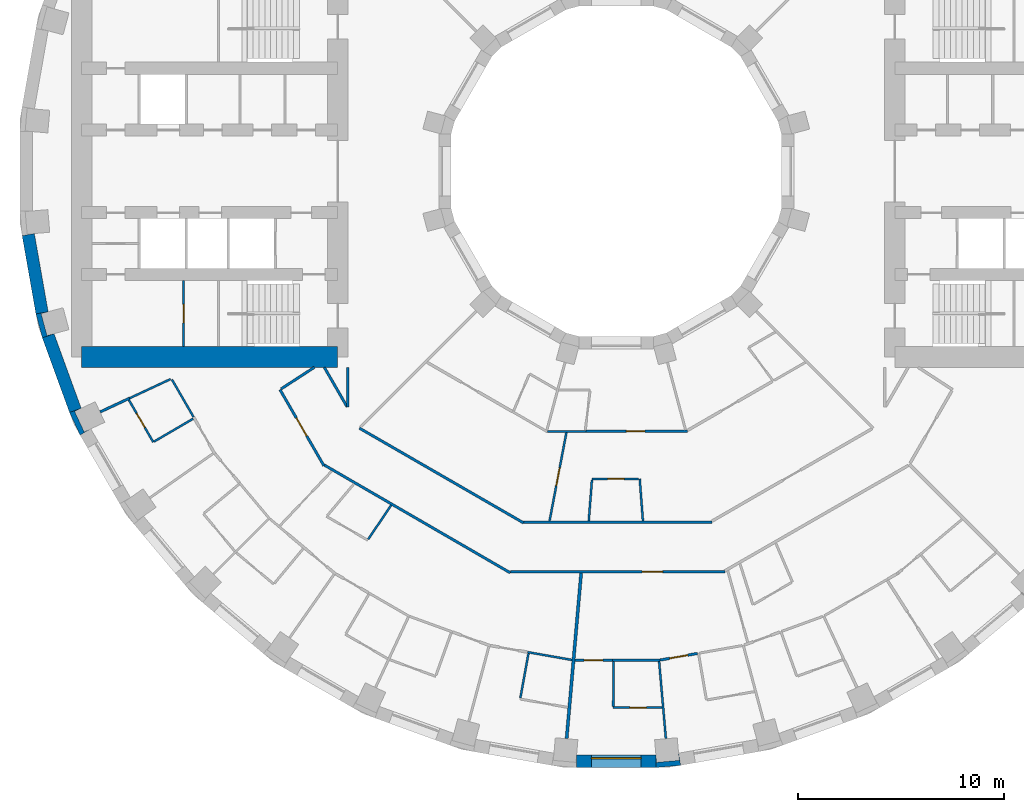
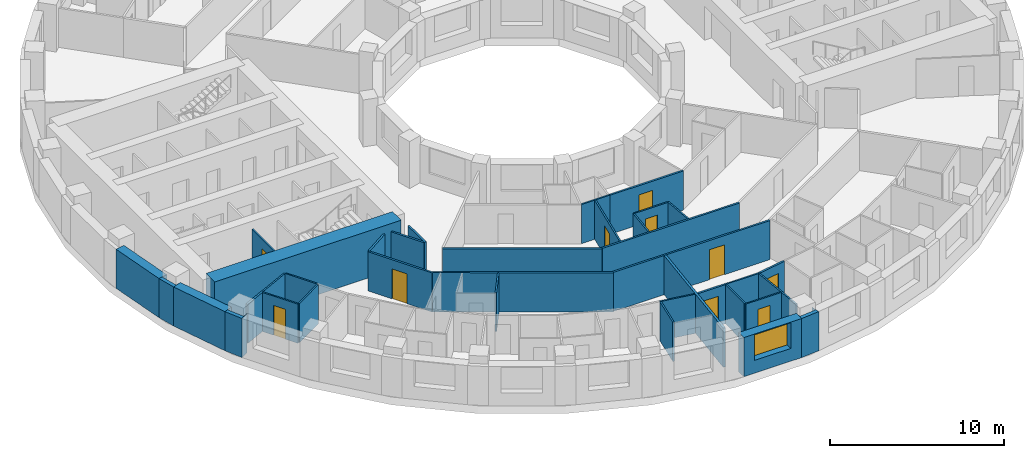
# One storey, part 5 of 15: 37 walls, 10 doors, 1 window, 11 openings.
"""IFC4 building model written with IfcOpenShell, lengths in metres."""

from ifc_helpers import new_model, si_unit, direction, frame, frame_2d, origin, place, context, subcontext, project, spatial, polyline, rectangle, outline, extrude, material, layer, layer_set, type_object, element, fill, save


model = new_model("IFC4")

# Units and contexts
model_context = context("Model", 3, precision=1e-05, world=origin(), true_north=direction((0.0, 1.0)))
body_context = subcontext(model_context, "Body", "Model", "MODEL_VIEW")
ifc_project = project(units=[si_unit("LENGTHUNIT", "METRE"), si_unit("AREAUNIT", "SQUARE_METRE"), si_unit("VOLUMEUNIT", "CUBIC_METRE"), si_unit("PLANEANGLEUNIT", "RADIAN"), si_unit("MASSUNIT", "GRAM", prefix="KILO")], contexts=[model_context])

# Site, building, storey
site_placement = place(None, origin())
site = spatial("IfcSite", under=ifc_project, at=site_placement, CompositionType="ELEMENT")
building_placement = place(site_placement, origin())
building = spatial("IfcBuilding", under=site, at=building_placement, Name="Saqina Gate Tower", CompositionType="ELEMENT")
storey_placement = place(building_placement, frame((0.0, 0.0, 75.800048828125)))
storey = spatial("IfcBuildingStorey", under=building, at=storey_placement, Name="L21", CompositionType="ELEMENT", Elevation=75.800048828125)

# Walls
ifc_material_1 = material(Name="Brick masonry (red)", Category="masonry")
wall_type_1 = type_object("IfcWallType", Name="BRICK PIER COPING RED", PredefinedType="SOLIDWALL", material=ifc_material_1)
wall_1_placement = place(storey_placement, origin())
element("IfcWall", 1, at=wall_1_placement, inside=storey, type_object=wall_type_1, Name="Pier cap L21 column 20", PredefinedType="SOLIDWALL", context=body_context, shape_type="SweptSolid", body=[
    extrude(outline(polyline([(-28.11669921875, -6.910400390625), (-27.80517578125, -8.073974609375), (-27.2412109375, -7.86865234375), (-27.57958984375, -7.95947265625), (-27.864501953125, -6.896728515625), (-27.52587890625, -6.80615234375), (-28.11669921875, -6.910400390625)])), origin(), (0.0, 0.0, 1.0), 2.75),
])
wall_2_placement = place(storey_placement, origin())
element("IfcWall", 2, at=wall_2_placement, inside=storey, type_object=wall_type_1, Name="Pier cap L21 column 21", PredefinedType="SOLIDWALL", context=body_context, shape_type="SweptSolid", body=[
    extrude(outline(polyline([(-25.980712890625, -12.779541015625), (-25.4609375, -12.4794921875), (-25.778564453125, -12.627685546875), (-26.243408203125, -11.630615234375), (-25.92578125, -11.482666015625), (-26.48974609375, -11.687744140625), (-25.980712890625, -12.779541015625)])), origin(), (0.0, 0.0, 1.0), 2.75),
])
wall_3_placement = place(storey_placement, origin())
element("IfcWall", 3, at=wall_3_placement, inside=storey, type_object=wall_type_1, Name="Pier cap L21 column 28", PredefinedType="SOLIDWALL", context=body_context, shape_type="SweptSolid", body=[
    extrude(outline(polyline([(1.9228515625, -28.8896484375), (3.122802734375, -28.78466796875), (3.018798828125, -28.19384765625), (3.04931640625, -28.54296875), (1.95361328125, -28.638671875), (1.9228515625, -28.28955078125), (1.9228515625, -28.8896484375)])), origin(), (0.0, 0.0, 1.0), 2.75),
])

# Wall, opening, door
ifc_material_2 = material(Name="Gypsum board on steel studs", Category="steel")
ifc_layer_1 = layer(ifc_material_2, 0.10009765625)
ifc_layer_set_1 = layer_set([ifc_layer_1], Name="CORE PARTITION")
wall_type_2 = type_object("IfcWallType", Name="CORE PARTITION", PredefinedType="PARTITIONING", material=ifc_layer_set_1)
wall_4_placement = place(storey_placement, frame((-20.961669921875, -8.5, 0.0), z_axis=(0.0, 0.0, 1.0), x_axis=(0.0, 1.0, 0.0)))
wall_4 = element("IfcWall", 4, at=wall_4_placement, inside=storey, type_object=wall_type_2, Name="L21-CP-W12", PredefinedType="PARTITIONING", context=body_context, shape_type="SweptSolid", body=[
    extrude(rectangle(XDim=3.199951171875, YDim=0.10009765625, at=frame_2d((1.60009765625, 0.0))), origin(), (0.0, 0.0, 1.0), 2.75),
])
opening_1_placement = place(wall_4_placement, frame((1.14990234375, 0.0, 0.0)))
opening_1 = element("IfcOpeningElement", 5, at=opening_1_placement, cuts=wall_4, Name="Opening G06-D112", PredefinedType="OPENING", context=body_context, shape_type="SweptSolid", body=[
    extrude(rectangle(XDim=0.89990234375, YDim=2.10009765625, at=frame_2d((0.449951171875, 1.050048828125))), frame((0.0, 0.06201171875, 0.0), z_axis=(0.0, -1.0, 0.0), x_axis=(1.0, 0.0, 0.0)), (0.0, 0.0, 1.0), 0.1240234375),
])
ifc_material_3 = material(Name="Steel-framed fire door leaf, EI 60", Category="steel")
door_type_1 = type_object("IfcDoorType", Name="SERVICE ROOM DOOR 900", OperationType="SINGLE_SWING_LEFT", PredefinedType="DOOR", material=ifc_material_3)
door_1_placement = place(opening_1_placement, origin())
door_1 = element("IfcDoor", 6, at=door_1_placement, inside=storey, type_object=door_type_1, Name="L21-CD-W23", OperationType="SINGLE_SWING_LEFT", OverallHeight=2.10009765625, OverallWidth=0.89990234375, PredefinedType="DOOR", context=body_context, shape_type="SweptSolid", body=[
    extrude(rectangle(XDim=0.89990234375, YDim=2.10009765625, at=frame_2d((0.449951171875, 1.050048828125))), frame((0.0, 0.02490234375, 0.0), z_axis=(0.0, -1.0, 0.0), x_axis=(1.0, 0.0, 0.0)), (0.0, 0.0, 1.0), 0.050048828125),
])
fill(opening_1, door_1)

# Wall, opening, window
ifc_material_4 = material(Name="Brick masonry (red)", Category="masonry")
ifc_layer_2 = layer(ifc_material_4, 0.60009765625)
ifc_layer_set_2 = layer_set([ifc_layer_2], Name="FW-BRICK-RED")
wall_type_3 = type_object("IfcWallType", Name="FW-BRICK-RED", PredefinedType="SOLIDWALL", material=ifc_layer_set_2)
wall_5_placement = place(storey_placement, frame((-1.9228515625, -28.589599609375, 0.0), z_axis=(0.0, 0.0, 1.0), x_axis=(1.0, 0.0, 0.0)))
wall_5 = element("IfcWall", 7, at=wall_5_placement, inside=storey, type_object=wall_type_3, Name="Facade wall L21 facet 27", PredefinedType="SOLIDWALL", context=body_context, shape_type="SweptSolid", body=[
    extrude(rectangle(XDim=3.845703125, YDim=0.60009765625, at=frame_2d((1.9228515625, 0.0))), origin(), (0.0, 0.0, 1.0), 2.75),
])
opening_2_placement = place(wall_5_placement, frame((0.722900390625, 0.0, 0.89990234375)))
opening_2 = element("IfcOpeningElement", 8, at=opening_2_placement, cuts=wall_5, Name="Opening G06-W16", PredefinedType="OPENING", context=body_context, shape_type="SweptSolid", body=[
    extrude(rectangle(XDim=2.39990234375, YDim=1.800048828125, at=frame_2d((1.199951171875, 0.89990234375))), frame((0.0, 0.31201171875, 0.0), z_axis=(0.0, -1.0, 0.0), x_axis=(1.0, 0.0, 0.0)), (0.0, 0.0, 1.0), 0.6240234375),
])
ifc_material_5 = material(Name="Aluminium glazing", Category="aluminium")
window_type = type_object("IfcWindowType", Name="WN-A", PartitioningType="SINGLE_PANEL", PredefinedType="WINDOW", material=ifc_material_5)
window_placement = place(opening_2_placement, origin())
window = element("IfcWindow", 9, at=window_placement, inside=storey, type_object=window_type, Name="Window L21 facet 27", OverallHeight=1.800048828125, OverallWidth=2.39990234375, PartitioningType="SINGLE_PANEL", PredefinedType="WINDOW", context=body_context, shape_type="SweptSolid", body=[
    extrude(rectangle(XDim=2.39990234375, YDim=1.800048828125, at=frame_2d((1.199951171875, 0.89990234375))), frame((0.0, 0.179931640625, 0.0), z_axis=(0.0, -1.0, 0.0), x_axis=(1.0, 0.0, 0.0)), (0.0, 0.0, 1.0), 0.06005859375),
])
fill(opening_2, window)

# Walls
ifc_material_6 = material(Name="Glazed ceramic tile", Category="ceramic")
ifc_layer_3 = layer(ifc_material_6, 0.60009765625)
ifc_layer_set_3 = layer_set([ifc_layer_3], Name="FW-TILE")
wall_type_4 = type_object("IfcWallType", Name="FW-TILE", PredefinedType="SOLIDWALL", material=ifc_layer_set_3)
wall_6_placement = place(storey_placement, frame((-27.523193359375, -7.97119140625, 0.0), z_axis=(0.0, 0.0, 1.0), x_axis=(0.342028474173, -0.939689588564, 0.0)))
element("IfcWall", 10, at=wall_6_placement, inside=storey, type_object=wall_type_4, Name="Facade wall L21 facet 20", PredefinedType="SOLIDWALL", context=body_context, shape_type="SweptSolid", body=[
    extrude(rectangle(XDim=3.845947265625, YDim=0.60009765625, at=frame_2d((1.9228515625, 0.0))), origin(), (0.0, 0.0, 1.0), 2.75),
])
ifc_material_7 = material(Name="Glazed ceramic tile (white)", Category="ceramic")
ifc_layer_4 = layer(ifc_material_7, 0.60009765625)
ifc_layer_set_4 = layer_set([ifc_layer_4], Name="FW-TILE-WH")
wall_type_5 = type_object("IfcWallType", Name="FW-TILE-WH", PredefinedType="SOLIDWALL", material=ifc_layer_set_4)
wall_7_placement = place(storey_placement, frame((-28.4892578125, -3.07080078125, 0.0), z_axis=(0.0, 0.0, 1.0), x_axis=(0.173687553279, -0.984800809218, 0.0)))
element("IfcWall", 11, at=wall_7_placement, inside=storey, type_object=wall_type_5, Name="Facade wall L21 facet 19", PredefinedType="SOLIDWALL", context=body_context, shape_type="SweptSolid", body=[
    extrude(rectangle(XDim=3.845703125, YDim=0.60009765625, at=frame_2d((1.9228515625, 0.0))), origin(), (0.0, 0.0, 1.0), 2.75),
])
ifc_material_8 = material(Name="Gypsum board on steel studs, 100 mm", Category="steel")
ifc_layer_5 = layer(ifc_material_8, 0.10009765625)
ifc_layer_set_5 = layer_set([ifc_layer_5], Name="PARTITION 100")
wall_type_6 = type_object("IfcWallType", Name="PARTITION 100", PredefinedType="PARTITIONING", material=ifc_layer_set_5)
wall_8_placement = place(storey_placement, frame((1.136962890625, -14.89990234375, 0.0), z_axis=(0.0, 0.0, 1.0), x_axis=(0.075974816416, -0.997109736825, 0.0)))
element("IfcWall", 12, at=wall_8_placement, inside=storey, type_object=wall_type_6, Name="PARTITION PW3-01", PredefinedType="PARTITIONING", context=body_context, shape_type="SweptSolid", body=[
    extrude(rectangle(XDim=2.043701171875, YDim=0.10009765625, at=frame_2d((1.02197265625, 0.0))), origin(), (0.0, 0.0, 1.0), 2.75),
])
wall_9_placement = place(storey_placement, frame((2.075439453125, -23.739990234375, 0.0), z_axis=(0.0, 0.0, 1.0), x_axis=(0.087473063517, -0.996166885195, 0.0)))
element("IfcWall", 13, at=wall_9_placement, inside=storey, type_object=wall_type_6, Name="PARTITION PW3-02", PredefinedType="PARTITIONING", context=body_context, shape_type="SweptSolid", body=[
    extrude(rectangle(XDim=3.759521484375, YDim=0.10009765625, at=frame_2d((1.8798828125, 0.0))), origin(), (0.0, 0.0, 1.0), 2.75),
])

# Wall, opening, door
wall_10_placement = place(storey_placement, frame((-23.618896484375, -11.0712890625, 0.0), z_axis=(0.0, 0.0, 1.0), x_axis=(0.500121220083, -0.865955406025, 0.0)))
wall_10 = element("IfcWall", 14, at=wall_10_placement, inside=storey, type_object=wall_type_6, Name="PARTITION PW3-20", PredefinedType="PARTITIONING", context=body_context, shape_type="SweptSolid", body=[
    extrude(rectangle(XDim=2.3671875, YDim=0.10009765625, at=frame_2d((1.18359375, 0.0))), origin(), (0.0, 0.0, 1.0), 2.75),
])
opening_3_placement = place(wall_10_placement, frame((0.75732421875, 0.0, 0.0)))
opening_3 = element("IfcOpeningElement", 15, at=opening_3_placement, cuts=wall_10, Name="Opening G06-D34", PredefinedType="OPENING", context=body_context, shape_type="SweptSolid", body=[
    extrude(rectangle(XDim=0.800048828125, YDim=2.10009765625, at=frame_2d((0.39990234375, 1.050048828125))), frame((0.0, 0.06201171875, 0.0), z_axis=(0.0, -1.0, 0.0), x_axis=(1.0, 0.0, 0.0)), (0.0, 0.0, 1.0), 0.1240234375),
])
ifc_material_9 = material(Name="Timber door leaf, 800 mm", Category="wood")
door_type_2 = type_object("IfcDoorType", Name="DOOR 800 TIMBER", OperationType="SINGLE_SWING_LEFT", PredefinedType="DOOR", material=ifc_material_9)
door_2_placement = place(opening_3_placement, frame((0.800048828125, 0.0, 0.0), z_axis=(0.0, 0.0, 1.0), x_axis=(-1.0, 0.0, 0.0)))
door_2 = element("IfcDoor", 16, at=door_2_placement, inside=storey, type_object=door_type_2, Name="DOOR G06-D34", OperationType="SINGLE_SWING_RIGHT", OverallHeight=2.10009765625, OverallWidth=0.800048828125, PredefinedType="DOOR", context=body_context, shape_type="SweptSolid", body=[
    extrude(rectangle(XDim=0.800048828125, YDim=2.10009765625, at=frame_2d((0.39990234375, 1.050048828125))), frame((0.0, 0.02490234375, 0.0), z_axis=(0.0, -1.0, 0.0), x_axis=(1.0, 0.0, 0.0)), (0.0, 0.0, 1.0), 0.050048828125),
])
fill(opening_3, door_2)

# Walls
wall_11_placement = place(storey_placement, frame((-21.527099609375, -10.09326171875, 0.0), z_axis=(0.0, 0.0, 1.0), x_axis=(0.500153222552, -0.865936922628, 0.0)))
element("IfcWall", 17, at=wall_11_placement, inside=storey, type_object=wall_type_6, Name="PARTITION PW3-21", PredefinedType="PARTITIONING", context=body_context, shape_type="SweptSolid", body=[
    extrude(rectangle(XDim=2.093017578125, YDim=0.10009765625, at=frame_2d((1.04638671875, 0.0))), origin(), (0.0, 0.0, 1.0), 2.75),
])
wall_12_placement = place(storey_placement, frame((-4.293212890625, -23.29833984375, 0.0), z_axis=(0.0, 0.0, 1.0), x_axis=(0.984790324535, -0.173746990485, 0.0)))
element("IfcWall", 18, at=wall_12_placement, inside=storey, type_object=wall_type_6, Name="PARTITION PW3-54", PredefinedType="PARTITIONING", context=body_context, shape_type="SweptSolid", body=[
    extrude(rectangle(XDim=2.179443359375, YDim=0.10009765625, at=frame_2d((1.08984375, 0.0))), origin(), (0.0, 0.0, 1.0), 2.75),
])

# Wall, opening, door
wall_13_placement = place(storey_placement, frame((-0.14599609375, -25.989990234375, 0.0), z_axis=(0.0, 0.0, 1.0), x_axis=(1.0, 0.0, 0.0)))
wall_13 = element("IfcWall", 19, at=wall_13_placement, inside=storey, type_object=wall_type_6, Name="PARTITION PW3-56", PredefinedType="PARTITIONING", context=body_context, shape_type="SweptSolid", body=[
    extrude(rectangle(XDim=2.3701171875, YDim=0.10009765625, at=frame_2d((1.18505859375, 0.0))), origin(), (0.0, 0.0, 1.0), 2.75),
])
opening_4_placement = place(wall_13_placement, frame((0.81005859375, 0.0, 0.0)))
opening_4 = element("IfcOpeningElement", 20, at=opening_4_placement, cuts=wall_13, Name="Opening G06-D55", PredefinedType="OPENING", context=body_context, shape_type="SweptSolid", body=[
    extrude(rectangle(XDim=0.800048828125, YDim=2.10009765625, at=frame_2d((0.39990234375, 1.050048828125))), frame((0.0, 0.06201171875, 0.0), z_axis=(0.0, -1.0, 0.0), x_axis=(1.0, 0.0, 0.0)), (0.0, 0.0, 1.0), 0.1240234375),
])
door_3_placement = place(opening_4_placement, frame((0.800048828125, 0.0, 0.0), z_axis=(0.0, 0.0, 1.0), x_axis=(-1.0, 0.0, 0.0)))
door_3 = element("IfcDoor", 21, at=door_3_placement, inside=storey, type_object=door_type_2, Name="DOOR G06-D55", OperationType="SINGLE_SWING_LEFT", OverallHeight=2.10009765625, OverallWidth=0.800048828125, PredefinedType="DOOR", context=body_context, shape_type="SweptSolid", body=[
    extrude(rectangle(XDim=0.800048828125, YDim=2.10009765625, at=frame_2d((0.39990234375, 1.050048828125))), frame((0.0, 0.02490234375, 0.0), z_axis=(0.0, -1.0, 0.0), x_axis=(1.0, 0.0, 0.0)), (0.0, 0.0, 1.0), 0.050048828125),
])
fill(opening_4, door_3)

# Wall
wall_14_placement = place(storey_placement, frame((-0.18310546875, -23.68994140625, 0.0), z_axis=(0.0, 0.0, 1.0), x_axis=(1.0, 0.0, 0.0)))
element("IfcWall", 22, at=wall_14_placement, inside=storey, type_object=wall_type_6, Name="PARTITION PW3-57", PredefinedType="PARTITIONING", context=body_context, shape_type="SweptSolid", body=[
    extrude(rectangle(XDim=2.306884765625, YDim=0.10009765625, at=frame_2d((1.1533203125, 0.0))), origin(), (0.0, 0.0, 1.0), 2.75),
])

# Wall, opening, door
wall_15_placement = place(storey_placement, frame((-1.173095703125, -14.89990234375, 0.0), z_axis=(0.0, 0.0, 1.0), x_axis=(1.0, 0.0, 0.0)))
wall_15 = element("IfcWall", 23, at=wall_15_placement, inside=storey, type_object=wall_type_6, Name="PARTITION PW3-58", PredefinedType="PARTITIONING", context=body_context, shape_type="SweptSolid", body=[
    extrude(rectangle(XDim=2.260009765625, YDim=0.10009765625, at=frame_2d((1.1298828125, 0.0))), origin(), (0.0, 0.0, 1.0), 2.75),
])
opening_5_placement = place(wall_15_placement, frame((0.7548828125, 0.0, 0.0)))
opening_5 = element("IfcOpeningElement", 24, at=opening_5_placement, cuts=wall_15, Name="Opening G06-D54", PredefinedType="OPENING", context=body_context, shape_type="SweptSolid", body=[
    extrude(rectangle(XDim=0.800048828125, YDim=2.10009765625, at=frame_2d((0.39990234375, 1.050048828125))), frame((0.0, 0.06201171875, 0.0), z_axis=(0.0, -1.0, 0.0), x_axis=(1.0, 0.0, 0.0)), (0.0, 0.0, 1.0), 0.1240234375),
])
door_4_placement = place(opening_5_placement, origin())
door_4 = element("IfcDoor", 25, at=door_4_placement, inside=storey, type_object=door_type_2, Name="DOOR G06-D54", OperationType="SINGLE_SWING_RIGHT", OverallHeight=2.10009765625, OverallWidth=0.800048828125, PredefinedType="DOOR", context=body_context, shape_type="SweptSolid", body=[
    extrude(rectangle(XDim=0.800048828125, YDim=2.10009765625, at=frame_2d((0.39990234375, 1.050048828125))), frame((0.0, 0.02490234375, 0.0), z_axis=(0.0, -1.0, 0.0), x_axis=(1.0, 0.0, 0.0)), (0.0, 0.0, 1.0), 0.050048828125),
])
fill(opening_5, door_4)

# Walls
wall_16_placement = place(storey_placement, frame((-3.325927734375, -12.60009765625, 0.0), z_axis=(0.0, 0.0, 1.0), x_axis=(1.0, 0.0, 0.0)))
element("IfcWall", 26, at=wall_16_placement, inside=storey, type_object=wall_type_6, Name="PARTITION PW3-59", PredefinedType="PARTITIONING", context=body_context, shape_type="SweptSolid", body=[
    extrude(rectangle(XDim=1.869873046875, YDim=0.10009765625, at=frame_2d((0.93505859375, 0.0))), origin(), (0.0, 0.0, 1.0), 2.75),
])
wall_17_placement = place(storey_placement, frame((-23.58837890625, -10.99951171875, 0.0), z_axis=(0.0, 0.0, 1.0), x_axis=(0.906316523208, 0.422599526454, 0.0)))
element("IfcWall", 27, at=wall_17_placement, inside=storey, type_object=wall_type_6, Name="PARTITION PW3-71", PredefinedType="PARTITIONING", context=body_context, shape_type="SweptSolid", body=[
    extrude(rectangle(XDim=2.197021484375, YDim=0.10009765625, at=frame_2d((1.0986328125, 0.0))), origin(), (0.0, 0.0, 1.0), 2.75),
])
wall_18_placement = place(storey_placement, frame((-22.391845703125, -13.095703125, 0.0), z_axis=(0.0, 0.0, 1.0), x_axis=(0.863305021383, 0.504682514116, 0.0)))
element("IfcWall", 28, at=wall_18_placement, inside=storey, type_object=wall_type_6, Name="PARTITION PW3-82", PredefinedType="PARTITIONING", context=body_context, shape_type="SweptSolid", body=[
    extrude(rectangle(XDim=2.18798828125, YDim=0.10009765625, at=frame_2d((1.093994140625, 0.0))), origin(), (0.0, 0.0, 1.0), 2.75),
])
wall_19_placement = place(storey_placement, frame((-12.01806640625, -17.82958984375, 0.0), z_axis=(0.0, 0.0, 1.0), x_axis=(0.559188682258, 0.829040419784, 0.0)))
element("IfcWall", 29, at=wall_19_placement, inside=storey, type_object=wall_type_6, Name="PARTITION PW3-103", PredefinedType="PARTITIONING", context=body_context, shape_type="SweptSolid", body=[
    extrude(rectangle(XDim=1.9921875, YDim=0.10009765625, at=frame_2d((0.99609375, 0.0))), origin(), (0.0, 0.0, 1.0), 2.75),
])

# Wall, opening, door
wall_20_placement = place(storey_placement, frame((-3.231201171875, -16.938720703125, 0.0), z_axis=(0.0, 0.0, 1.0), x_axis=(0.18729194025, 0.982304295581, 0.0)))
wall_20 = element("IfcWall", 30, at=wall_20_placement, inside=storey, type_object=wall_type_6, Name="PARTITION PW3-114", PredefinedType="PARTITIONING", context=body_context, shape_type="SweptSolid", body=[
    extrude(rectangle(XDim=4.366943359375, YDim=0.10009765625, at=frame_2d((2.18359375, 0.0))), origin(), (0.0, 0.0, 1.0), 2.75),
])
opening_6_placement = place(wall_20_placement, frame((1.72705078125, 0.0, 0.0)))
opening_6 = element("IfcOpeningElement", 31, at=opening_6_placement, cuts=wall_20, Name="Opening G06-D50", PredefinedType="OPENING", context=body_context, shape_type="SweptSolid", body=[
    extrude(rectangle(XDim=0.89990234375, YDim=2.10009765625, at=frame_2d((0.449951171875, 1.050048828125))), frame((0.0, 0.06201171875, 0.0), z_axis=(0.0, -1.0, 0.0), x_axis=(1.0, 0.0, 0.0)), (0.0, 0.0, 1.0), 0.1240234375),
])
ifc_material_10 = material(Name="Timber door leaf, 900 mm", Category="wood")
door_type_3 = type_object("IfcDoorType", Name="DOOR 900 TIMBER", OperationType="SINGLE_SWING_LEFT", PredefinedType="DOOR", material=ifc_material_10)
door_5_placement = place(opening_6_placement, frame((0.89990234375, 0.0, 0.0), z_axis=(0.0, 0.0, 1.0), x_axis=(-1.0, 0.0, 0.0)))
door_5 = element("IfcDoor", 32, at=door_5_placement, inside=storey, type_object=door_type_3, Name="DOOR G06-D50", OperationType="SINGLE_SWING_RIGHT", OverallHeight=2.10009765625, OverallWidth=0.89990234375, PredefinedType="DOOR", context=body_context, shape_type="SweptSolid", body=[
    extrude(rectangle(XDim=0.89990234375, YDim=2.10009765625, at=frame_2d((0.449951171875, 1.050048828125))), frame((0.0, 0.02490234375, 0.0), z_axis=(0.0, -1.0, 0.0), x_axis=(1.0, 0.0, 0.0)), (0.0, 0.0, 1.0), 0.050048828125),
])
fill(opening_6, door_5)

# Walls
wall_21_placement = place(storey_placement, frame((-4.64697265625, -25.520751953125, 0.0), z_axis=(0.0, 0.0, 1.0), x_axis=(0.179130970408, 0.983825236229, 0.0)))
element("IfcWall", 33, at=wall_21_placement, inside=storey, type_object=wall_type_6, Name="PARTITION PW3-115", PredefinedType="PARTITIONING", context=body_context, shape_type="SweptSolid", body=[
    extrude(rectangle(XDim=2.1875, YDim=0.10009765625, at=frame_2d((1.09375, 0.0))), origin(), (0.0, 0.0, 1.0), 2.75),
])
wall_22_placement = place(storey_placement, frame((-1.3330078125, -16.937744140625, 0.0), z_axis=(0.0, 0.0, 1.0), x_axis=(0.078241354856, 0.996934446386, 0.0)))
element("IfcWall", 34, at=wall_22_placement, inside=storey, type_object=wall_type_6, Name="PARTITION PW3-118", PredefinedType="PARTITIONING", context=body_context, shape_type="SweptSolid", body=[
    extrude(rectangle(XDim=1.993896484375, YDim=0.10009765625, at=frame_2d((0.9970703125, 0.0))), origin(), (0.0, 0.0, 1.0), 2.75),
])
wall_23_placement = place(storey_placement, frame((-0.145751953125, -25.93994140625, 0.0), z_axis=(0.0, 0.0, 1.0), x_axis=(0.005691872083, 0.999983801165, 0.0)))
element("IfcWall", 35, at=wall_23_placement, inside=storey, type_object=wall_type_6, Name="PARTITION PW3-119", PredefinedType="PARTITIONING", context=body_context, shape_type="SweptSolid", body=[
    extrude(rectangle(XDim=2.1875, YDim=0.10009765625, at=frame_2d((1.09375, 0.0))), origin(), (0.0, 0.0, 1.0), 2.75),
])

# Wall, opening, door
ifc_material_11 = material(Name="Gypsum board on steel studs, 125 mm, fire rated", Category="steel")
ifc_layer_6 = layer(ifc_material_11, 0.125)
ifc_layer_set_6 = layer_set([ifc_layer_6], Name="PARTITION EI 30 125")
wall_type_7 = type_object("IfcWallType", Name="PARTITION EI 30 125", PredefinedType="PARTITIONING", material=ifc_layer_set_6)
wall_24_placement = place(storey_placement, frame((-16.29296875, -10.580078125, 0.0), z_axis=(0.0, 0.0, 1.0), x_axis=(0.499965871761, -0.866045106836, 0.0)))
wall_24 = element("IfcWall", 36, at=wall_24_placement, inside=storey, type_object=wall_type_7, Name="PARTITION PW1-05", PredefinedType="PARTITIONING", context=body_context, shape_type="SweptSolid", body=[
    extrude(rectangle(XDim=4.254150390625, YDim=0.125, at=frame_2d((2.126953125, 0.0))), origin(), (0.0, 0.0, 1.0), 2.75),
])
opening_7_placement = place(wall_24_placement, frame((1.591064453125, 0.0, 0.0)))
opening_7 = element("IfcOpeningElement", 37, at=opening_7_placement, cuts=wall_24, Name="Opening G06-D37", PredefinedType="OPENING", context=body_context, shape_type="SweptSolid", body=[
    extrude(rectangle(XDim=1.0, YDim=2.10009765625, at=frame_2d((0.5, 1.050048828125))), frame((0.0, 0.074462890625, 0.0), z_axis=(0.0, -1.0, 0.0), x_axis=(1.0, 0.0, 0.0)), (0.0, 0.0, 1.0), 0.14892578125),
])
ifc_material_12 = material(Name="Fire door leaf EI 30, 1000 mm")
door_type_4 = type_object("IfcDoorType", Name="DOOR 1000 EI 30", OperationType="SINGLE_SWING_LEFT", PredefinedType="DOOR", material=ifc_material_12)
door_6_placement = place(opening_7_placement, frame((1.0, 0.0, 0.0), z_axis=(0.0, 0.0, 1.0), x_axis=(-1.0, 0.0, 0.0)))
door_6 = element("IfcDoor", 38, at=door_6_placement, inside=storey, type_object=door_type_4, Name="DOOR G06-D37", OperationType="SINGLE_SWING_RIGHT", OverallHeight=2.10009765625, OverallWidth=1.0, PredefinedType="DOOR", context=body_context, shape_type="SweptSolid", body=[
    extrude(rectangle(XDim=1.0, YDim=2.10009765625, at=frame_2d((0.5, 1.050048828125))), frame((0.0, 0.02490234375, 0.0), z_axis=(0.0, -1.0, 0.0), x_axis=(1.0, 0.0, 0.0)), (0.0, 0.0, 1.0), 0.050048828125),
])
fill(opening_7, door_6)

# Walls
wall_25_placement = place(storey_placement, frame((-14.14501953125, -9.5, 0.0), z_axis=(0.0, 0.0, 1.0), x_axis=(0.500012531179, -0.866018168784, 0.0)))
element("IfcWall", 39, at=wall_25_placement, inside=storey, type_object=wall_type_7, Name="PARTITION PW1-06", PredefinedType="PARTITIONING", context=body_context, shape_type="SweptSolid", body=[
    extrude(rectangle(XDim=2.2099609375, YDim=0.125, at=frame_2d((1.10498046875, 0.0))), origin(), (0.0, 0.0, 1.0), 2.75),
])
wall_26_placement = place(storey_placement, frame((-14.1474609375, -14.232421875, 0.0), z_axis=(0.0, 0.0, 1.0), x_axis=(0.865199394038, -0.501427969459, 0.0)))
element("IfcWall", 40, at=wall_26_placement, inside=storey, type_object=wall_type_7, Name="PARTITION PW1-20", PredefinedType="PARTITIONING", context=body_context, shape_type="SweptSolid", body=[
    extrude(rectangle(XDim=10.416015625, YDim=0.125, at=frame_2d((5.2080078125, 0.0))), origin(), (0.0, 0.0, 1.0), 2.75),
])
wall_27_placement = place(storey_placement, frame((-12.445068359375, -12.445068359375, 0.0), z_axis=(0.0, 0.0, 1.0), x_axis=(0.866043911468, -0.499967942382, 0.0)))
element("IfcWall", 41, at=wall_27_placement, inside=storey, type_object=wall_type_7, Name="PARTITION PW1-22", PredefinedType="PARTITIONING", context=body_context, shape_type="SweptSolid", body=[
    extrude(rectangle(XDim=9.1826171875, YDim=0.125, at=frame_2d((4.59130859375, 0.0))), origin(), (0.0, 0.0, 1.0), 2.75),
])

# Wall, opening, door
wall_28_placement = place(storey_placement, frame((-1.998046875, -23.68994140625, 0.0), z_axis=(0.0, 0.0, 1.0), x_axis=(1.0, 0.0, 0.0)))
wall_28 = element("IfcWall", 42, at=wall_28_placement, inside=storey, type_object=wall_type_7, Name="PARTITION PW1-30", PredefinedType="PARTITIONING", context=body_context, shape_type="SweptSolid", body=[
    extrude(rectangle(XDim=1.81494140625, YDim=0.125, at=frame_2d((0.907470703125, 0.0))), origin(), (0.0, 0.0, 1.0), 2.75),
])
opening_8_placement = place(wall_28_placement, frame((0.445068359375, 0.0, 0.0)))
opening_8 = element("IfcOpeningElement", 43, at=opening_8_placement, cuts=wall_28, Name="Opening G06-D53", PredefinedType="OPENING", context=body_context, shape_type="SweptSolid", body=[
    extrude(rectangle(XDim=0.89990234375, YDim=2.10009765625, at=frame_2d((0.449951171875, 1.050048828125))), frame((0.0, 0.074462890625, 0.0), z_axis=(0.0, -1.0, 0.0), x_axis=(1.0, 0.0, 0.0)), (0.0, 0.0, 1.0), 0.14892578125),
])
ifc_material_13 = material(Name="Fire door leaf EI 30, 900 mm")
door_type_5 = type_object("IfcDoorType", Name="DOOR 900 EI 30", OperationType="SINGLE_SWING_LEFT", PredefinedType="DOOR", material=ifc_material_13)
door_7_placement = place(opening_8_placement, origin())
door_7 = element("IfcDoor", 44, at=door_7_placement, inside=storey, type_object=door_type_5, Name="DOOR G06-D53", OperationType="SINGLE_SWING_LEFT", OverallHeight=2.10009765625, OverallWidth=0.89990234375, PredefinedType="DOOR", context=body_context, shape_type="SweptSolid", body=[
    extrude(rectangle(XDim=0.89990234375, YDim=2.10009765625, at=frame_2d((0.449951171875, 1.050048828125))), frame((0.0, 0.02490234375, 0.0), z_axis=(0.0, -1.0, 0.0), x_axis=(1.0, 0.0, 0.0)), (0.0, 0.0, 1.0), 0.050048828125),
])
fill(opening_8, door_7)

wall_29_placement = place(storey_placement, frame((-5.135498046875, -19.39990234375, 0.0), z_axis=(0.0, 0.0, 1.0), x_axis=(1.0, 0.0, 0.0)))
wall_29 = element("IfcWall", 45, at=wall_29_placement, inside=storey, type_object=wall_type_7, Name="PARTITION PW1-31", PredefinedType="PARTITIONING", context=body_context, shape_type="SweptSolid", body=[
    extrude(rectangle(XDim=10.405517578125, YDim=0.125, at=frame_2d((5.20263671875, 0.0))), origin(), (0.0, 0.0, 1.0), 2.75),
])
opening_9_placement = place(wall_29_placement, frame((6.385986328125, 0.0, 0.0)))
opening_9 = element("IfcOpeningElement", 46, at=opening_9_placement, cuts=wall_29, Name="Opening G06-D57", PredefinedType="OPENING", context=body_context, shape_type="SweptSolid", body=[
    extrude(rectangle(XDim=1.0, YDim=2.10009765625, at=frame_2d((0.5, 1.050048828125))), frame((0.0, 0.074462890625, 0.0), z_axis=(0.0, -1.0, 0.0), x_axis=(1.0, 0.0, 0.0)), (0.0, 0.0, 1.0), 0.14892578125),
])
door_8_placement = place(opening_9_placement, frame((1.0, 0.0, 0.0), z_axis=(0.0, 0.0, 1.0), x_axis=(-1.0, 0.0, 0.0)))
door_8 = element("IfcDoor", 47, at=door_8_placement, inside=storey, type_object=door_type_4, Name="DOOR G06-D57", OperationType="SINGLE_SWING_LEFT", OverallHeight=2.10009765625, OverallWidth=1.0, PredefinedType="DOOR", context=body_context, shape_type="SweptSolid", body=[
    extrude(rectangle(XDim=1.0, YDim=2.10009765625, at=frame_2d((0.5, 1.050048828125))), frame((0.0, 0.02490234375, 0.0), z_axis=(0.0, -1.0, 0.0), x_axis=(1.0, 0.0, 0.0)), (0.0, 0.0, 1.0), 0.050048828125),
])
fill(opening_9, door_8)

# Wall
wall_30_placement = place(storey_placement, frame((-4.492431640625, -17.0, 0.0), z_axis=(0.0, 0.0, 1.0), x_axis=(1.0, 0.0, 0.0)))
element("IfcWall", 48, at=wall_30_placement, inside=storey, type_object=wall_type_7, Name="PARTITION PW1-32", PredefinedType="PARTITIONING", context=body_context, shape_type="SweptSolid", body=[
    extrude(rectangle(XDim=9.11962890625, YDim=0.125, at=frame_2d((4.559814453125, 0.0))), origin(), (0.0, 0.0, 1.0), 2.75),
])

# Wall, opening, door
wall_31_placement = place(storey_placement, frame((-1.4560546875, -12.60009765625, 0.0), z_axis=(0.0, 0.0, 1.0), x_axis=(1.0, 0.0, 0.0)))
wall_31 = element("IfcWall", 49, at=wall_31_placement, inside=storey, type_object=wall_type_7, Name="PARTITION PW1-33", PredefinedType="PARTITIONING", context=body_context, shape_type="SweptSolid", body=[
    extrude(rectangle(XDim=4.904296875, YDim=0.125, at=frame_2d((2.4521484375, 0.0))), origin(), (0.0, 0.0, 1.0), 2.75),
])
opening_10_placement = place(wall_31_placement, frame((1.94091796875, 0.0, 0.0)))
opening_10 = element("IfcOpeningElement", 50, at=opening_10_placement, cuts=wall_31, Name="Opening G06-D56", PredefinedType="OPENING", context=body_context, shape_type="SweptSolid", body=[
    extrude(rectangle(XDim=0.89990234375, YDim=2.10009765625, at=frame_2d((0.449951171875, 1.050048828125))), frame((0.0, 0.074462890625, 0.0), z_axis=(0.0, -1.0, 0.0), x_axis=(1.0, 0.0, 0.0)), (0.0, 0.0, 1.0), 0.14892578125),
])
door_9_placement = place(opening_10_placement, frame((0.89990234375, 0.0, 0.0), z_axis=(0.0, 0.0, 1.0), x_axis=(-1.0, 0.0, 0.0)))
door_9 = element("IfcDoor", 51, at=door_9_placement, inside=storey, type_object=door_type_5, Name="DOOR G06-D56", OperationType="SINGLE_SWING_RIGHT", OverallHeight=2.10009765625, OverallWidth=0.89990234375, PredefinedType="DOOR", context=body_context, shape_type="SweptSolid", body=[
    extrude(rectangle(XDim=0.89990234375, YDim=2.10009765625, at=frame_2d((0.449951171875, 1.050048828125))), frame((0.0, 0.02490234375, 0.0), z_axis=(0.0, -1.0, 0.0), x_axis=(1.0, 0.0, 0.0)), (0.0, 0.0, 1.0), 0.050048828125),
])
fill(opening_10, door_9)

wall_32_placement = place(storey_placement, frame((2.122314453125, -23.681396484375, 0.0), z_axis=(0.0, 0.0, 1.0), x_axis=(0.984770194999, 0.173861045209, 0.0)))
wall_32 = element("IfcWall", 52, at=wall_32_placement, inside=storey, type_object=wall_type_7, Name="PARTITION PW1-36", PredefinedType="PARTITIONING", context=body_context, shape_type="SweptSolid", body=[
    extrude(rectangle(XDim=1.839599609375, YDim=0.125, at=frame_2d((0.919921875, 0.0))), origin(), (0.0, 0.0, 1.0), 2.75),
])
opening_11_placement = place(wall_32_placement, frame((0.4697265625, 0.0, 0.0)))
opening_11 = element("IfcOpeningElement", 53, at=opening_11_placement, cuts=wall_32, Name="Opening G06-D58", PredefinedType="OPENING", context=body_context, shape_type="SweptSolid", body=[
    extrude(rectangle(XDim=0.89990234375, YDim=2.10009765625, at=frame_2d((0.449951171875, 1.050048828125))), frame((0.0, 0.074462890625, 0.0), z_axis=(0.0, -1.0, 0.0), x_axis=(1.0, 0.0, 0.0)), (0.0, 0.0, 1.0), 0.14892578125),
])
door_10_placement = place(opening_11_placement, origin())
door_10 = element("IfcDoor", 54, at=door_10_placement, inside=storey, type_object=door_type_5, Name="DOOR G06-D58", OperationType="SINGLE_SWING_LEFT", OverallHeight=2.10009765625, OverallWidth=0.89990234375, PredefinedType="DOOR", context=body_context, shape_type="SweptSolid", body=[
    extrude(rectangle(XDim=0.89990234375, YDim=2.10009765625, at=frame_2d((0.449951171875, 1.050048828125))), frame((0.0, 0.02490234375, 0.0), z_axis=(0.0, -1.0, 0.0), x_axis=(1.0, 0.0, 0.0)), (0.0, 0.0, 1.0), 0.050048828125),
])
fill(opening_11, door_10)

# Walls
wall_33_placement = place(storey_placement, frame((-25.005126953125, -11.659912109375, 0.0), z_axis=(0.0, 0.0, 1.0), x_axis=(0.906366605584, 0.422492102034, 0.0)))
element("IfcWall", 55, at=wall_33_placement, inside=storey, type_object=wall_type_7, Name="PARTITION PW1-40", PredefinedType="PARTITIONING", context=body_context, shape_type="SweptSolid", body=[
    extrude(rectangle(XDim=1.56298828125, YDim=0.125, at=frame_2d((0.781494140625, 0.0))), origin(), (0.0, 0.0, 1.0), 2.75),
])
wall_34_placement = place(storey_placement, frame((-16.240478515625, -10.5458984375, 0.0), z_axis=(0.0, 0.0, 1.0), x_axis=(0.838829547553, 0.544394149631, 0.0)))
element("IfcWall", 56, at=wall_34_placement, inside=storey, type_object=wall_type_7, Name="PARTITION PW1-49", PredefinedType="PARTITIONING", context=body_context, shape_type="SweptSolid", body=[
    extrude(rectangle(XDim=1.921142578125, YDim=0.125, at=frame_2d((0.96044921875, 0.0))), origin(), (0.0, 0.0, 1.0), 2.75),
])
wall_35_placement = place(storey_placement, frame((-13.0, -11.42041015625, 0.0), z_axis=(0.0, 0.0, 1.0), x_axis=(0.0, 1.0, 0.0)))
element("IfcWall", 57, at=wall_35_placement, inside=storey, type_object=wall_type_7, Name="PARTITION PW1-62", PredefinedType="PARTITIONING", context=body_context, shape_type="SweptSolid", body=[
    extrude(rectangle(XDim=1.92041015625, YDim=0.125, at=frame_2d((0.960205078125, 0.0))), origin(), (0.0, 0.0, 1.0), 2.75),
])
ifc_material_14 = material(Name="Gypsum board on steel studs, 150 mm, fire rated", Category="steel")
ifc_layer_7 = layer(ifc_material_14, 0.14990234375)
ifc_layer_set_7 = layer_set([ifc_layer_7], Name="PARTITION EI 60 150")
wall_type_8 = type_object("IfcWallType", Name="PARTITION EI 60 150", PredefinedType="PARTITIONING", material=ifc_layer_set_7)
wall_36_placement = place(storey_placement, frame((-2.404296875, -27.485107421875, 0.0), z_axis=(0.0, 0.0, 1.0), x_axis=(0.087487718466, 0.99616559824, 0.0)))
element("IfcWall", 58, at=wall_36_placement, inside=storey, type_object=wall_type_8, Name="PARTITION PW2-05", PredefinedType="PARTITIONING", context=body_context, shape_type="SweptSolid", body=[
    extrude(rectangle(XDim=8.053466796875, YDim=0.14990234375, at=frame_2d((4.02685546875, 0.0))), origin(), (0.0, 0.0, 1.0), 2.75),
])
ifc_material_15 = material(Name="Concrete C70/85", Category="concrete")
ifc_layer_8 = layer(ifc_material_15, 1.0)
ifc_layer_set_8 = layer_set([ifc_layer_8], Name="Concrete C70/85")
wall_type_9 = type_object("IfcWallType", Name="STR-CORE WALL-A-O", PredefinedType="SHEAR", material=ifc_layer_set_8)
wall_37_placement = place(storey_placement, frame((-13.5, -9.0, 0.0), z_axis=(0.0, 0.0, 1.0), x_axis=(-1.0, 0.0, 0.0)))
element("IfcWall", 59, at=wall_37_placement, inside=storey, type_object=wall_type_9, Name="CORE WALL L21 W-SE", PredefinedType="SHEAR", context=body_context, shape_type="SweptSolid", body=[
    extrude(rectangle(XDim=12.39990234375, YDim=1.0, at=frame_2d((6.199951171875, 0.0))), origin(), (0.0, 0.0, 1.0), 3.300048828125),
])

save(model, "model.ifc")
